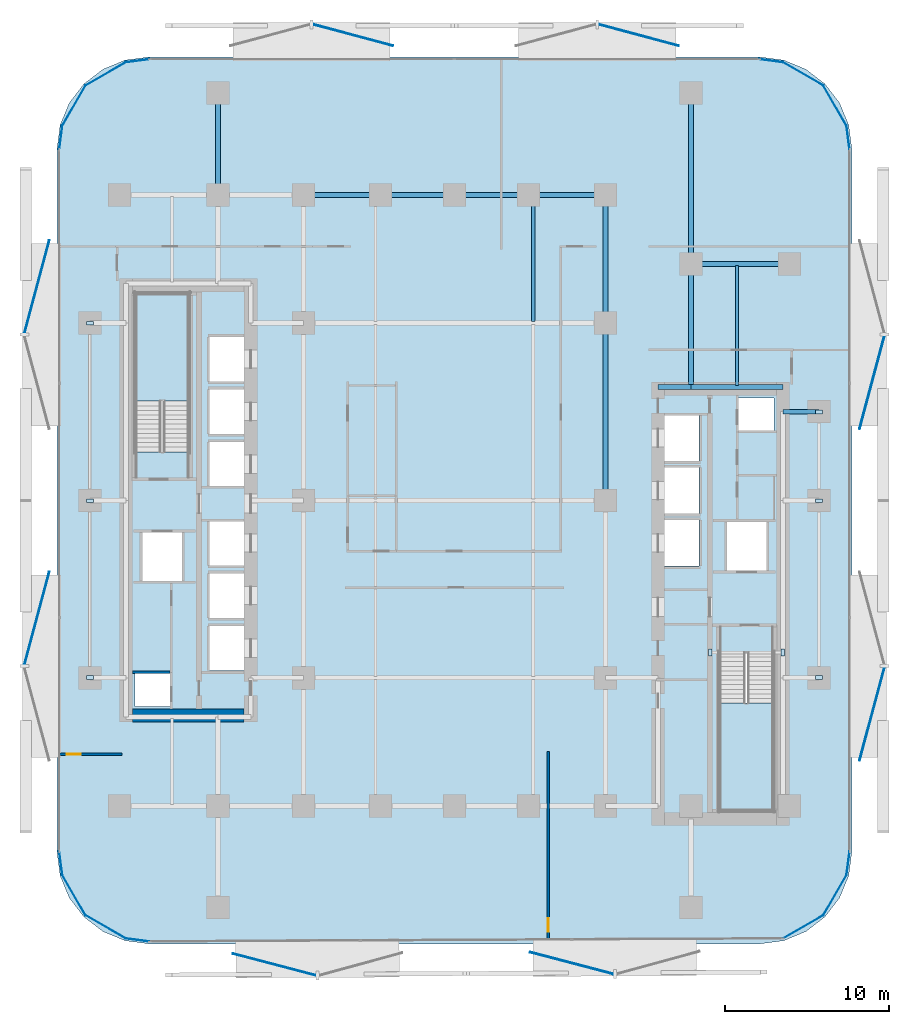
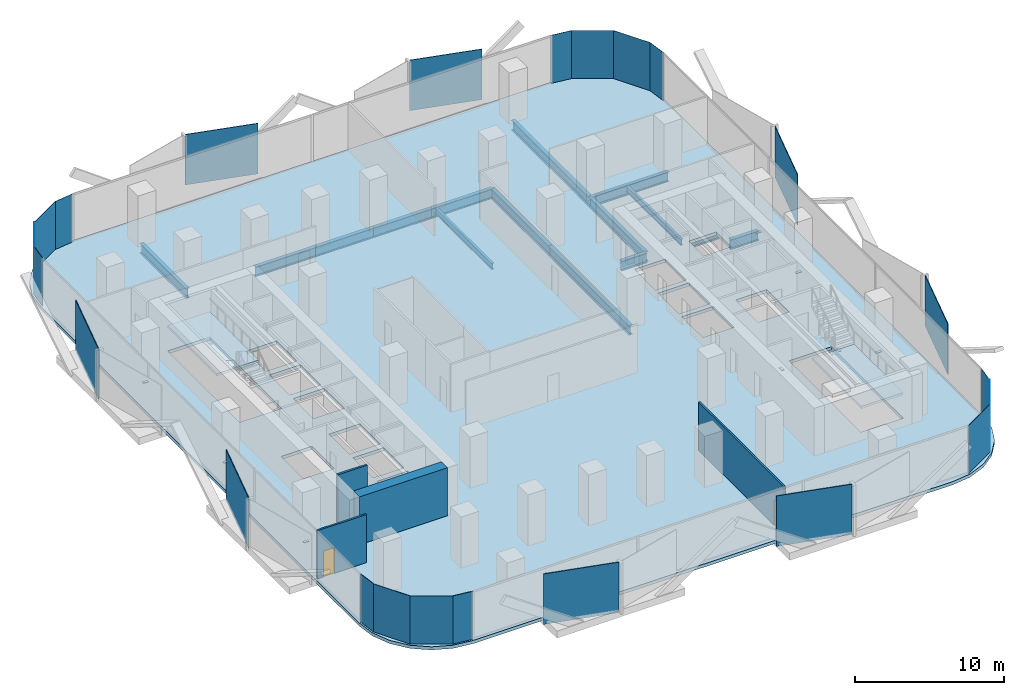
# One storey, part 2 of 15: 31 plates, 15 beams, 4 walls, 3 slabs, 2 doors, 2 openings, 2 elements without a shape of their own.
"""IFC4 building model written with IfcOpenShell, lengths in metres."""

from ifc_helpers import new_model, si_unit, direction, frame, frame_2d, origin, origin_2d, place, context, subcontext, project, spatial, polyline, rectangle, i_section, outline, extrude, material, layer, layer_set, material_profile, profile_set, type_object, element, fill, aggregate, save


model = new_model("IFC4")

# Units and contexts
model_context = context("Model", 3, precision=1e-05, world=origin(), true_north=direction((0.0, 1.0)))
body_context = subcontext(model_context, "Body", "Model", "MODEL_VIEW")
ifc_project = project(units=[si_unit("LENGTHUNIT", "METRE"), si_unit("AREAUNIT", "SQUARE_METRE"), si_unit("VOLUMEUNIT", "CUBIC_METRE"), si_unit("PLANEANGLEUNIT", "RADIAN"), si_unit("MASSUNIT", "GRAM", prefix="KILO")], contexts=[model_context])

# Site, building, storey
site_placement = place(None, origin())
site = spatial("IfcSite", under=ifc_project, at=site_placement, CompositionType="ELEMENT")
building_placement = place(site_placement, origin())
building = spatial("IfcBuilding", under=site, at=building_placement, Name="Khairoan Windgate Tower", CompositionType="ELEMENT")
storey_placement = place(building_placement, frame((0.0, 0.0, 34.39990234375)))
storey = spatial("IfcBuildingStorey", under=building, at=storey_placement, Name="L08", CompositionType="ELEMENT", Elevation=34.39990234375)

# Beams
ifc_material_1 = material(Name="Steel S355", Category="steel")
ifc_material_profile_1 = material_profile(ifc_material_1, i_section(OverallWidth=0.300048828125, OverallDepth=0.800048828125, WebThickness=0.013916015625, FlangeThickness=0.02587890625, FilletRadius=0.028076171875, at=origin_2d()))
ifc_profile_set_1 = profile_set([ifc_material_profile_1], Name="Steel S355")
beam_type_1 = type_object("IfcBeamType", Name="Beam B-G2 H800x300x14x26", PredefinedType="BEAM", material=ifc_profile_set_1)
beam_1_placement = place(storey_placement, frame((20.0, 5.39990234375, -0.659912109375), z_axis=(1.0, 0.0, 0.0), x_axis=(0.0, 1.0, 0.0)))
element("IfcBeam", 1, at=beam_1_placement, inside=storey, type_object=beam_type_1, Name="L08 E-W Primary Girder 19", PredefinedType="BEAM", context=body_context, shape_type="SweptSolid", body=[
    extrude(i_section(OverallWidth=0.300048828125, OverallDepth=0.800048828125, WebThickness=0.013916015625, FlangeThickness=0.02587890625, FilletRadius=0.028076171875, at=origin_2d()), origin(), (0.0, 0.0, 1.0), 2.199951171875),
])
beam_2_placement = place(storey_placement, frame((12.39990234375, 6.89990234375, -0.659912109375), z_axis=(1.0, 0.0, 0.0), x_axis=(0.0, 1.0, 0.0)))
element("IfcBeam", 2, at=beam_2_placement, inside=storey, type_object=beam_type_1, Name="L08 E-W Primary Girder 20", PredefinedType="BEAM", context=body_context, shape_type="SweptSolid", body=[
    extrude(i_section(OverallWidth=0.300048828125, OverallDepth=0.800048828125, WebThickness=0.013916015625, FlangeThickness=0.02587890625, FilletRadius=0.028076171875, at=origin_2d()), origin(), (0.0, 0.0, 1.0), 2.0),
])
beam_3_placement = place(storey_placement, frame((14.39990234375, 6.89990234375, -0.659912109375), z_axis=(1.0, 0.0, 0.0), x_axis=(0.0, 1.0, 0.0)))
element("IfcBeam", 3, at=beam_3_placement, inside=storey, type_object=beam_type_1, Name="L08 E-W Primary Girder 21", PredefinedType="BEAM", context=body_context, shape_type="SweptSolid", body=[
    extrude(i_section(OverallWidth=0.300048828125, OverallDepth=0.800048828125, WebThickness=0.013916015625, FlangeThickness=0.02587890625, FilletRadius=0.028076171875, at=origin_2d()), origin(), (0.0, 0.0, 1.0), 5.60009765625),
])
beam_4_placement = place(storey_placement, frame((14.39990234375, 14.39990234375, -0.659912109375), z_axis=(1.0, 0.0, 0.0), x_axis=(0.0, 1.0, 0.0)))
element("IfcBeam", 4, at=beam_4_placement, inside=storey, type_object=beam_type_1, Name="L08 E-W Primary Girder 27", PredefinedType="BEAM", context=body_context, shape_type="SweptSolid", body=[
    extrude(i_section(OverallWidth=0.300048828125, OverallDepth=0.800048828125, WebThickness=0.013916015625, FlangeThickness=0.02587890625, FilletRadius=0.028076171875, at=origin_2d()), origin(), (0.0, 0.0, 1.0), 6.0),
])
beam_5_placement = place(storey_placement, frame((-9.199951171875, 18.60009765625, -0.659912109375), z_axis=(1.0, 0.0, 0.0), x_axis=(0.0, 1.0, 0.0)))
element("IfcBeam", 5, at=beam_5_placement, inside=storey, type_object=beam_type_1, Name="L08 E-W Primary Girder 30", PredefinedType="BEAM", context=body_context, shape_type="SweptSolid", body=[
    extrude(i_section(OverallWidth=0.300048828125, OverallDepth=0.800048828125, WebThickness=0.013916015625, FlangeThickness=0.02587890625, FilletRadius=0.028076171875, at=origin_2d()), origin(), (0.0, 0.0, 1.0), 4.699951171875),
])
for number, where, z_axis, x_axis, name in (
    (6, (-4.5, 18.60009765625, -0.659912109375), (1.0, 0.0, 0.0), (0.0, 1.0, 0.0), "L08 E-W Primary Girder 31"),
    (7, (0.0, 18.60009765625, -0.659912109375), (1.0, 0.0, 0.0), (0.0, 1.0, 0.0), "L08 E-W Primary Girder 32"),
):
    element("IfcBeam", number, at=place(storey_placement, frame(where, z_axis=z_axis, x_axis=x_axis)), inside=storey, type_object=beam_type_1, Name=name, PredefinedType="BEAM", context=body_context, shape_type="SweptSolid", body=[
        extrude(i_section(OverallWidth=0.300048828125, OverallDepth=0.800048828125, WebThickness=0.013916015625, FlangeThickness=0.02587890625, FilletRadius=0.028076171875, at=origin_2d()), origin(), (0.0, 0.0, 1.0), 4.5),
    ])
beam_6_placement = place(storey_placement, frame((4.5, 18.60009765625, -0.659912109375), z_axis=(1.0, 0.0, 0.0), x_axis=(0.0, 1.0, 0.0)))
element("IfcBeam", 8, at=beam_6_placement, inside=storey, type_object=beam_type_1, Name="L08 E-W Primary Girder 33", PredefinedType="BEAM", context=body_context, shape_type="SweptSolid", body=[
    extrude(i_section(OverallWidth=0.300048828125, OverallDepth=0.800048828125, WebThickness=0.013916015625, FlangeThickness=0.02587890625, FilletRadius=0.028076171875, at=origin_2d()), origin(), (0.0, 0.0, 1.0), 4.699951171875),
])
beam_7_placement = place(storey_placement, frame((-14.39990234375, 18.60009765625, -0.659912109375), z_axis=(0.0, 1.0, 0.0), x_axis=(-1.0, 0.0, 0.0)))
element("IfcBeam", 9, at=beam_7_placement, inside=storey, type_object=beam_type_1, Name="L08 N-S Primary Beam 43", PredefinedType="BEAM", context=body_context, shape_type="SweptSolid", body=[
    extrude(i_section(OverallWidth=0.300048828125, OverallDepth=0.800048828125, WebThickness=0.013916015625, FlangeThickness=0.02587890625, FilletRadius=0.028076171875, at=origin_2d()), origin(), (0.0, 0.0, 1.0), 6.199951171875),
])
beam_8_placement = place(storey_placement, frame((9.199951171875, 0.0, -0.659912109375), z_axis=(0.0, 1.0, 0.0), x_axis=(-1.0, 0.0, 0.0)))
element("IfcBeam", 10, at=beam_8_placement, inside=storey, type_object=beam_type_1, Name="L08 N-S Primary Beam 52", PredefinedType="BEAM", context=body_context, shape_type="SweptSolid", body=[
    extrude(i_section(OverallWidth=0.300048828125, OverallDepth=0.800048828125, WebThickness=0.013916015625, FlangeThickness=0.02587890625, FilletRadius=0.028076171875, at=origin_2d()), origin(), (0.0, 0.0, 1.0), 10.800048828125),
])
beam_9_placement = place(storey_placement, frame((9.199951171875, 10.800048828125, -0.659912109375), z_axis=(0.0, 1.0, 0.0), x_axis=(-1.0, 0.0, 0.0)))
element("IfcBeam", 11, at=beam_9_placement, inside=storey, type_object=beam_type_1, Name="L08 N-S Primary Beam 53", PredefinedType="BEAM", context=body_context, shape_type="SweptSolid", body=[
    extrude(i_section(OverallWidth=0.300048828125, OverallDepth=0.800048828125, WebThickness=0.013916015625, FlangeThickness=0.02587890625, FilletRadius=0.028076171875, at=origin_2d()), origin(), (0.0, 0.0, 1.0), 7.800048828125),
])
beam_10_placement = place(storey_placement, frame((14.39990234375, 6.89990234375, -0.659912109375), z_axis=(0.0, 1.0, 0.0), x_axis=(-1.0, 0.0, 0.0)))
element("IfcBeam", 12, at=beam_10_placement, inside=storey, type_object=beam_type_1, Name="L08 N-S Primary Beam 56", PredefinedType="BEAM", context=body_context, shape_type="SweptSolid", body=[
    extrude(i_section(OverallWidth=0.300048828125, OverallDepth=0.800048828125, WebThickness=0.013916015625, FlangeThickness=0.02587890625, FilletRadius=0.028076171875, at=origin_2d()), origin(), (0.0, 0.0, 1.0), 7.5),
])
beam_11_placement = place(storey_placement, frame((14.39990234375, 14.39990234375, -0.659912109375), z_axis=(0.0, 1.0, 0.0), x_axis=(-1.0, 0.0, 0.0)))
element("IfcBeam", 13, at=beam_11_placement, inside=storey, type_object=beam_type_1, Name="L08 N-S Primary Beam 57", PredefinedType="BEAM", context=body_context, shape_type="SweptSolid", body=[
    extrude(i_section(OverallWidth=0.300048828125, OverallDepth=0.800048828125, WebThickness=0.013916015625, FlangeThickness=0.02587890625, FilletRadius=0.028076171875, at=origin_2d()), origin(), (0.0, 0.0, 1.0), 10.400146484375),
])
ifc_material_2 = material(Name="Steel S355", Category="steel")
ifc_material_profile_2 = material_profile(ifc_material_2, i_section(OverallWidth=0.199951171875, OverallDepth=0.5, WebThickness=0.010009765625, FlangeThickness=0.01611328125, FilletRadius=0.02001953125, at=origin_2d()))
ifc_profile_set_2 = profile_set([ifc_material_profile_2], Name="Steel S355")
beam_type_2 = type_object("IfcBeamType", Name="Beam J-S2 H500x200x10x16", PredefinedType="JOIST", material=ifc_profile_set_2)
beam_12_placement = place(storey_placement, frame((4.800048828125, 10.889892578125, -0.510009765625), z_axis=(0.0, 1.0, 0.0), x_axis=(-1.0, 0.0, 0.0)))
element("IfcBeam", 14, at=beam_12_placement, inside=storey, type_object=beam_type_2, Name="L08 Secondary Floor Joist 10", PredefinedType="JOIST", context=body_context, shape_type="SweptSolid", body=[
    extrude(i_section(OverallWidth=0.199951171875, OverallDepth=0.5, WebThickness=0.010009765625, FlangeThickness=0.01611328125, FilletRadius=0.02001953125, at=origin_2d()), origin(), (0.0, 0.0, 1.0), 7.6201171875),
])
beam_13_placement = place(storey_placement, frame((17.199951171875, 6.989990234375, -0.510009765625), z_axis=(0.0, 1.0, 0.0), x_axis=(-1.0, 0.0, 0.0)))
element("IfcBeam", 15, at=beam_13_placement, inside=storey, type_object=beam_type_2, Name="L08 Secondary Floor Joist 11", PredefinedType="JOIST", context=body_context, shape_type="SweptSolid", body=[
    extrude(i_section(OverallWidth=0.199951171875, OverallDepth=0.5, WebThickness=0.010009765625, FlangeThickness=0.01611328125, FilletRadius=0.02001953125, at=origin_2d()), origin(), (0.0, 0.0, 1.0), 7.320068359375),
])

# Plates
ifc_material_3 = material(Name="Low-E Solar Control Laminated Glass", Category="glass")
ifc_layer_1 = layer(ifc_material_3, 0.030029296875, Name="Low-E Solar Control Laminated Glass")
ifc_layer_set_1 = layer_set([ifc_layer_1], Name="Low-E Solar Control Laminated Glass")
plate_type_1 = type_object("IfcPlateType", Name="Aerodynamic Wind-Corner Curved Glazing Plate", PredefinedType="USERDEFINED", material=ifc_layer_set_1)
plate_placement = place(storey_placement, frame((-19.302001953125, -26.766357421875, 0.000244140625), z_axis=(0.0, 0.0, 1.0), x_axis=(-0.991444861374, 0.13052619222, 0.0)))
element("IfcPlate", 16, at=plate_placement, inside=storey, type_object=plate_type_1, Name="L08 Aerodynamic Wind-Corner Curved Glazing Panel 2", ObjectType="GLAZING PANEL", PredefinedType="USERDEFINED", context=body_context, shape_type="SweptSolid", body=[
    extrude(rectangle(XDim=1.474365234375, YDim=0.028076171875, at=origin_2d()), origin(), (0.0, 0.0, 1.0), 3.93994140625),
])
for number, where, z_axis, x_axis, name in (
    (17, (-21.236328125, -25.96630859375, 0.000244140625), (0.0, 0.0, 1.0), (-0.866025403784, 0.5, 0.0), "L08 Aerodynamic Wind-Corner Curved Glazing Panel 3"),
    (18, (-23.16650390625, -24.03662109375, 0.000244140625), (0.0, 0.0, 1.0), (-0.5, 0.866025403784, 0.0), "L08 Aerodynamic Wind-Corner Curved Glazing Panel 4"),
):
    element("IfcPlate", number, at=place(storey_placement, frame(where, z_axis=z_axis, x_axis=x_axis)), inside=storey, type_object=plate_type_1, Name=name, ObjectType="GLAZING PANEL", PredefinedType="USERDEFINED", context=body_context, shape_type="SweptSolid", body=[
        extrude(rectangle(XDim=2.86572265625, YDim=0.028076171875, at=origin_2d()), origin(), (0.0, 0.0, 1.0), 3.93994140625),
    ])
for number, where, z_axis, x_axis, name in (
    (19, (-23.96630859375, -22.101806640625, 0.000244140625), (0.0, 0.0, 1.0), (-0.13052619222, 0.991444861374, 0.0), "L08 Aerodynamic Wind-Corner Curved Glazing Panel 5"),
    (20, (-23.96630859375, 22.101806640625, 0.000244140625), (0.0, 0.0, 1.0), (0.13052619222, 0.991444861374, 0.0), "L08 Aerodynamic Wind-Corner Curved Glazing Panel 7"),
):
    element("IfcPlate", number, at=place(storey_placement, frame(where, z_axis=z_axis, x_axis=x_axis)), inside=storey, type_object=plate_type_1, Name=name, ObjectType="GLAZING PANEL", PredefinedType="USERDEFINED", context=body_context, shape_type="SweptSolid", body=[
        extrude(rectangle(XDim=1.474365234375, YDim=0.028076171875, at=origin_2d()), origin(), (0.0, 0.0, 1.0), 3.93994140625),
    ])
for number, where, z_axis, x_axis, name in (
    (21, (-23.16650390625, 24.03662109375, 0.000244140625), (0.0, 0.0, 1.0), (0.5, 0.866025403784, 0.0), "L08 Aerodynamic Wind-Corner Curved Glazing Panel 8"),
    (22, (-21.236328125, 25.96630859375, 0.000244140625), (0.0, 0.0, 1.0), (0.866025403784, 0.5, 0.0), "L08 Aerodynamic Wind-Corner Curved Glazing Panel 9"),
):
    element("IfcPlate", number, at=place(storey_placement, frame(where, z_axis=z_axis, x_axis=x_axis)), inside=storey, type_object=plate_type_1, Name=name, ObjectType="GLAZING PANEL", PredefinedType="USERDEFINED", context=body_context, shape_type="SweptSolid", body=[
        extrude(rectangle(XDim=2.86572265625, YDim=0.028076171875, at=origin_2d()), origin(), (0.0, 0.0, 1.0), 3.93994140625),
    ])
for number, where, z_axis, x_axis, name in (
    (23, (-19.302001953125, 26.766357421875, 0.000244140625), (0.0, 0.0, 1.0), (0.991444861374, 0.13052619222, 0.0), "L08 Aerodynamic Wind-Corner Curved Glazing Panel 10"),
    (24, (19.302001953125, 26.766357421875, 0.000244140625), (0.0, 0.0, 1.0), (0.991444861374, -0.13052619222, 0.0), "L08 Aerodynamic Wind-Corner Curved Glazing Panel 12"),
):
    element("IfcPlate", number, at=place(storey_placement, frame(where, z_axis=z_axis, x_axis=x_axis)), inside=storey, type_object=plate_type_1, Name=name, ObjectType="GLAZING PANEL", PredefinedType="USERDEFINED", context=body_context, shape_type="SweptSolid", body=[
        extrude(rectangle(XDim=1.474365234375, YDim=0.028076171875, at=origin_2d()), origin(), (0.0, 0.0, 1.0), 3.93994140625),
    ])
for number, where, z_axis, x_axis, name in (
    (25, (21.236328125, 25.96630859375, 0.000244140625), (0.0, 0.0, 1.0), (0.866025403784, -0.5, 0.0), "L08 Aerodynamic Wind-Corner Curved Glazing Panel 13"),
    (26, (23.16650390625, 24.03662109375, 0.000244140625), (0.0, 0.0, 1.0), (0.5, -0.866025403784, 0.0), "L08 Aerodynamic Wind-Corner Curved Glazing Panel 14"),
):
    element("IfcPlate", number, at=place(storey_placement, frame(where, z_axis=z_axis, x_axis=x_axis)), inside=storey, type_object=plate_type_1, Name=name, ObjectType="GLAZING PANEL", PredefinedType="USERDEFINED", context=body_context, shape_type="SweptSolid", body=[
        extrude(rectangle(XDim=2.86572265625, YDim=0.028076171875, at=origin_2d()), origin(), (0.0, 0.0, 1.0), 3.93994140625),
    ])
for number, where, z_axis, x_axis, name in (
    (27, (23.96630859375, 22.101806640625, 0.000244140625), (0.0, 0.0, 1.0), (0.13052619222, -0.991444861374, 0.0), "L08 Aerodynamic Wind-Corner Curved Glazing Panel 15"),
    (28, (23.96630859375, -22.101806640625, 0.000244140625), (0.0, 0.0, 1.0), (-0.13052619222, -0.991444861374, 0.0), "L08 Aerodynamic Wind-Corner Curved Glazing Panel 17"),
):
    element("IfcPlate", number, at=place(storey_placement, frame(where, z_axis=z_axis, x_axis=x_axis)), inside=storey, type_object=plate_type_1, Name=name, ObjectType="GLAZING PANEL", PredefinedType="USERDEFINED", context=body_context, shape_type="SweptSolid", body=[
        extrude(rectangle(XDim=1.474365234375, YDim=0.028076171875, at=origin_2d()), origin(), (0.0, 0.0, 1.0), 3.93994140625),
    ])
for number, where, z_axis, x_axis, name in (
    (29, (23.16650390625, -24.03662109375, 0.000244140625), (0.0, 0.0, 1.0), (-0.5, -0.866025403784, 0.0), "L08 Aerodynamic Wind-Corner Curved Glazing Panel 18"),
    (30, (21.236328125, -25.96630859375, 0.000244140625), (0.0, 0.0, 1.0), (-0.866025403784, -0.5, 0.0), "L08 Aerodynamic Wind-Corner Curved Glazing Panel 19"),
):
    element("IfcPlate", number, at=place(storey_placement, frame(where, z_axis=z_axis, x_axis=x_axis)), inside=storey, type_object=plate_type_1, Name=name, ObjectType="GLAZING PANEL", PredefinedType="USERDEFINED", context=body_context, shape_type="SweptSolid", body=[
        extrude(rectangle(XDim=2.86572265625, YDim=0.028076171875, at=origin_2d()), origin(), (0.0, 0.0, 1.0), 3.93994140625),
    ])
ifc_material_4 = material(Name="Steel S355", Category="steel")
ifc_layer_2 = layer(ifc_material_4, 0.0400390625, Name="Steel S355")
ifc_layer_set_2 = layer_set([ifc_layer_2], Name="Steel S355")
plate_type_2 = type_object("IfcPlateType", Name="Hollow Section End-Cap Plate PL-CAP40", PredefinedType="SHEET", material=ifc_layer_set_2)
for number, where, z_axis, x_axis, name in (
    (31, (-22.199951171875, -10.784912109375, -0.47998046875), (0.0, 0.0, 1.0), (0.0, 1.0, 0.0), "BM-SP-L08-034 steel end-cap plate 1"),
    (32, (-22.199951171875, -0.014892578125, -0.47998046875), (0.0, 0.0, 1.0), (0.0, 1.0, 0.0), "BM-SP-L08-034 steel end-cap plate 2"),
    (33, (-22.199951171875, 10.784912109375, -0.47998046875), (0.0, 0.0, 1.0), (0.0, 1.0, 0.0), "BM-SP-L08-035 steel end-cap plate 2"),
    (34, (22.199951171875, -10.784912109375, -0.47998046875), (0.0, 0.0, 1.0), (0.0, 1.0, 0.0), "BM-SP-L08-061 steel end-cap plate 1"),
    (35, (22.199951171875, -0.014892578125, -0.47998046875), (0.0, 0.0, 1.0), (0.0, 1.0, 0.0), "BM-SP-L08-061 steel end-cap plate 2"),
    (36, (22.199951171875, 5.385009765625, -0.47998046875), (0.0, 0.0, 1.0), (0.0, 1.0, 0.0), "BM-SP-L08-062 steel end-cap plate 2"),
    (37, (15.56494140625, -9.260009765625, -0.47998046875), (0.0, 0.0, 1.0), (1.0, 0.0, 0.0), "BM-ST1-TRIM-L08 steel end-cap plate 1"),
    (38, (19.985107421875, -9.260009765625, -0.47998046875), (0.0, 0.0, 1.0), (1.0, 0.0, 0.0), "BM-ST1-TRIM-L08 steel end-cap plate 2"),
):
    element("IfcPlate", number, at=place(storey_placement, frame(where, z_axis=z_axis, x_axis=x_axis)), inside=storey, type_object=plate_type_2, Name=name, PredefinedType="SHEET", context=body_context, shape_type="SweptSolid", body=[
        extrude(rectangle(XDim=0.219970703125, YDim=0.419921875, at=origin_2d()), origin(), (0.0, 0.0, 1.0), 0.0400390625),
    ])
ifc_material_5 = material(Name="Anodised Bronze Aluminium 6063-T6", Category="aluminium")
ifc_layer_3 = layer(ifc_material_5, 0.054931640625, Name="Anodised Bronze Aluminium 6063-T6")
ifc_layer_set_3 = layer_set([ifc_layer_3], Name="Anodised Bronze Aluminium 6063-T6")
plate_type_3 = type_object("IfcPlateType", Name="Perforated Bronze Solar Screen Panel BSP-1", PredefinedType="USERDEFINED", material=ifc_layer_set_3)
for number, where, z_axis, x_axis, name in (
    (39, (7.143310546875, -28.17578125, -0.099609375), (0.0, 0.0, 1.0), (-0.967179115616, 0.254095569259, 0.0), "L08 Perforated Bronze Solar Screen Panel 17R"),
    (40, (-10.95849609375, -28.263671875, -0.099609375), (0.0, 0.0, 1.0), (-0.967179115616, 0.254095569259, 0.0), "L08 Perforated Bronze Solar Screen Panel 18R"),
):
    element("IfcPlate", number, at=place(storey_placement, frame(where, z_axis=z_axis, x_axis=x_axis)), inside=storey, type_object=plate_type_3, Name=name, ObjectType="SCREEN", PredefinedType="USERDEFINED", context=body_context, shape_type="SweptSolid", body=[
        extrude(rectangle(XDim=5.25, YDim=0.054931640625, at=origin_2d()), origin(), (0.0, 0.0, 1.0), 4.139892578125),
    ])
for number, where, z_axis, x_axis, name in (
    (41, (-25.42236328125, -7.177734375, -0.099609375), (0.0, 0.0, 1.0), (0.258819045103, 0.965925826289, 0.0), "L08 Perforated Bronze Solar Screen Panel 19R"),
    (42, (-25.42236328125, 13.01318359375, -0.099609375), (0.0, 0.0, 1.0), (0.258819045103, 0.965925826289, 0.0), "L08 Perforated Bronze Solar Screen Panel 20R"),
):
    element("IfcPlate", number, at=place(storey_placement, frame(where, z_axis=z_axis, x_axis=x_axis)), inside=storey, type_object=plate_type_3, Name=name, ObjectType="SCREEN", PredefinedType="USERDEFINED", context=body_context, shape_type="SweptSolid", body=[
        extrude(rectangle(XDim=5.85498046875, YDim=0.054931640625, at=origin_2d()), origin(), (0.0, 0.0, 1.0), 4.139892578125),
    ])
for number, where, z_axis, x_axis, name in (
    (43, (-6.169921875, 28.327392578125, -0.099609375), (0.0, 0.0, 1.0), (0.965925826289, -0.258819045103, 0.0), "L08 Perforated Bronze Solar Screen Panel 21R"),
    (44, (11.220947265625, 28.327392578125, -0.099609375), (0.0, 0.0, 1.0), (0.965925826289, -0.258819045103, 0.0), "L08 Perforated Bronze Solar Screen Panel 22R"),
):
    element("IfcPlate", number, at=place(storey_placement, frame(where, z_axis=z_axis, x_axis=x_axis)), inside=storey, type_object=plate_type_3, Name=name, ObjectType="SCREEN", PredefinedType="USERDEFINED", context=body_context, shape_type="SweptSolid", body=[
        extrude(rectangle(XDim=5.04296875, YDim=0.054931640625, at=origin_2d()), origin(), (0.0, 0.0, 1.0), 4.139892578125),
    ])
for number, where, z_axis, x_axis, name in (
    (45, (25.42236328125, 7.177734375, -0.099609375), (0.0, 0.0, 1.0), (-0.258819045103, -0.965925826289, 0.0), "L08 Perforated Bronze Solar Screen Panel 23R"),
    (46, (25.42236328125, -13.01318359375, -0.099609375), (0.0, 0.0, 1.0), (-0.258819045103, -0.965925826289, 0.0), "L08 Perforated Bronze Solar Screen Panel 24R"),
):
    element("IfcPlate", number, at=place(storey_placement, frame(where, z_axis=z_axis, x_axis=x_axis)), inside=storey, type_object=plate_type_3, Name=name, ObjectType="SCREEN", PredefinedType="USERDEFINED", context=body_context, shape_type="SweptSolid", body=[
        extrude(rectangle(XDim=5.85498046875, YDim=0.054931640625, at=origin_2d()), origin(), (0.0, 0.0, 1.0), 4.139892578125),
    ])

# Stair, slab
ifc_material_6 = material(Name="Concrete C40/50", Category="concrete")
stair_type = type_object("IfcStairType", Name="Tower Core Dog-Leg Stair ST-T1 1560mm", PredefinedType="HALF_TURN_STAIR", material=ifc_material_6)
stair_1_placement = place(storey_placement, origin())
stair_1 = element("IfcStair", 47, at=stair_1_placement, inside=storey, type_object=stair_type, Name="L08 Stair ST1", PredefinedType="HALF_TURN_STAIR")
ifc_material_7 = material(Name="Concrete C40/50", Category="concrete")
ifc_layer_4 = layer(ifc_material_7, 0.199951171875, Name="Concrete C40/50")
ifc_layer_set_4 = layer_set([ifc_layer_4], Name="Concrete C40/50")
slab_type_1 = type_object("IfcSlabType", Name="Reinforced Concrete Stair Landing Slab STL-200", PredefinedType="LANDING", material=ifc_layer_set_4)
slab_1_placement = place(storey_placement, frame((0.0, 0.0, 1.900146484375)))
slab_1 = element("IfcSlab", 48, at=slab_1_placement, type_object=slab_type_1, Name="ST1 landing 1", PredefinedType="LANDING", context=body_context, shape_type="SweptSolid", body=[
    extrude(outline(polyline([(16.14990234375, -12.340087890625), (16.14990234375, -18.89990234375), (19.419921875, -18.89990234375), (19.419921875, -12.340087890625), (16.14990234375, -12.340087890625)])), origin(), (0.0, 0.0, 1.0), 0.199951171875),
])
aggregate(stair_1, [slab_1])

stair_2_placement = place(storey_placement, origin())
stair_2 = element("IfcStair", 49, at=stair_2_placement, inside=storey, type_object=stair_type, Name="L08 Stair ST2", PredefinedType="HALF_TURN_STAIR")
slab_2_placement = place(storey_placement, frame((0.0, 0.0, 1.900146484375)))
slab_2 = element("IfcSlab", 50, at=slab_2_placement, type_object=slab_type_1, Name="ST2 landing 1", PredefinedType="LANDING", context=body_context, shape_type="SweptSolid", body=[
    extrude(outline(polyline([(-16.14990234375, 6.0400390625), (-16.14990234375, 12.60009765625), (-19.419921875, 12.60009765625), (-19.419921875, 6.0400390625), (-16.14990234375, 6.0400390625)])), origin(), (0.0, 0.0, 1.0), 0.199951171875),
])
aggregate(stair_2, [slab_2])

# Slab
ifc_material_8 = material(Name="Concrete C40/50", Category="concrete")
ifc_layer_5 = layer(ifc_material_8, 0.260009765625, Name="Concrete C40/50")
ifc_layer_set_5 = layer_set([ifc_layer_5], Name="Concrete C40/50")
slab_type_2 = type_object("IfcSlabType", Name="Tower Composite Floor Slab FS2 260mm", PredefinedType="FLOOR", material=ifc_layer_set_5)
slab_3_placement = place(storey_placement, frame((0.0, 0.0, -0.260009765625)))
element("IfcSlab", 51, at=slab_3_placement, inside=storey, type_object=slab_type_2, Name="L08 Structural Floor Slab", PredefinedType="FLOOR", context=body_context, shape_type="SweptSolid", body=[
    extrude(outline(polyline([(18.60009765625, -27.0), (20.04931640625, -26.80908203125), (21.39990234375, -26.249755859375), (22.559814453125, -25.35986328125), (23.44970703125, -24.199951171875), (24.00927734375, -22.849365234375), (24.199951171875, -21.39990234375), (24.199951171875, 21.39990234375), (24.00927734375, 22.849365234375), (23.44970703125, 24.199951171875), (22.559814453125, 25.35986328125), (21.39990234375, 26.249755859375), (20.04931640625, 26.80908203125), (18.60009765625, 27.0), (-18.60009765625, 27.0), (-20.04931640625, 26.80908203125), (-21.39990234375, 26.249755859375), (-22.559814453125, 25.35986328125), (-23.44970703125, 24.199951171875), (-24.00927734375, 22.849365234375), (-24.199951171875, 21.39990234375), (-24.199951171875, -21.39990234375), (-24.00927734375, -22.849365234375), (-23.44970703125, -24.199951171875), (-22.559814453125, -25.35986328125), (-21.39990234375, -26.249755859375), (-20.04931640625, -26.80908203125), (-18.60009765625, -27.0), (18.60009765625, -27.0)]), holes=[polyline([(16.14990234375, -9.260009765625), (16.14990234375, -18.89990234375), (19.419921875, -18.89990234375), (19.419921875, -9.260009765625), (16.14990234375, -9.260009765625)]), polyline([(-16.14990234375, 2.9599609375), (-16.14990234375, 12.60009765625), (-19.419921875, 12.60009765625), (-19.419921875, 2.9599609375), (-16.14990234375, 2.9599609375)]), polyline([(-14.89990234375, 7.25), (-12.5, 7.25), (-12.5, 9.949951171875), (-14.89990234375, 9.949951171875), (-14.89990234375, 7.25)]), polyline([(-14.89990234375, 4.050048828125), (-12.5, 4.050048828125), (-12.5, 6.75), (-14.89990234375, 6.75), (-14.89990234375, 4.050048828125)]), polyline([(-14.89990234375, 0.85009765625), (-12.5, 0.85009765625), (-12.5, 3.550048828125), (-14.89990234375, 3.550048828125), (-14.89990234375, 0.85009765625)]), polyline([(-14.89990234375, -3.949951171875), (-12.5, -3.949951171875), (-12.5, -1.25), (-14.89990234375, -1.25), (-14.89990234375, -3.949951171875)]), polyline([(-14.89990234375, -7.14990234375), (-12.5, -7.14990234375), (-12.5, -4.449951171875), (-14.89990234375, -4.449951171875), (-14.89990234375, -7.14990234375)]), polyline([(-14.89990234375, -10.35009765625), (-12.5, -10.35009765625), (-12.5, -7.64990234375), (-14.89990234375, -7.64990234375), (-14.89990234375, -10.35009765625)]), polyline([(12.5, 2.39990234375), (14.89990234375, 2.39990234375), (14.89990234375, 5.199951171875), (12.5, 5.199951171875), (12.5, 2.39990234375)]), polyline([(12.5, -0.800048828125), (14.89990234375, -0.800048828125), (14.89990234375, 2.0), (12.5, 2.0), (12.5, -0.800048828125)]), polyline([(12.5, -4.0), (14.89990234375, -4.0), (14.89990234375, -1.199951171875), (12.5, -1.199951171875), (12.5, -4.0)]), polyline([(16.60009765625, -4.300048828125), (19.0, -4.300048828125), (19.0, -1.300048828125), (16.60009765625, -1.300048828125), (16.60009765625, -4.300048828125)]), polyline([(-19.0, -4.89990234375), (-16.60009765625, -4.89990234375), (-16.60009765625, -1.89990234375), (-19.0, -1.89990234375), (-19.0, -4.89990234375)]), polyline([(-19.449951171875, -12.550048828125), (-17.31005859375, -12.550048828125), (-17.31005859375, -10.550048828125), (-19.449951171875, -10.550048828125), (-19.449951171875, -12.550048828125)]), polyline([(17.31005859375, 4.25), (19.449951171875, 4.25), (19.449951171875, 6.25), (17.31005859375, 6.25), (17.31005859375, 4.25)])]), origin(), (0.0, 0.0, 1.0), 0.260009765625),
])

# Wall, opening, door
ifc_material_9 = material(Name="Acoustic Fire-Rated Gypsum Partition", Category="gypsum")
ifc_layer_6 = layer(ifc_material_9, 0.139892578125, Name="Acoustic Fire-Rated Gypsum Partition")
ifc_layer_set_6 = layer_set([ifc_layer_6], Name="Acoustic Fire-Rated Gypsum Partition")
wall_type_1 = type_object("IfcWallType", Name="Inter-Tenancy Compartment Wall", PredefinedType="PARTITIONING", material=ifc_layer_set_6)
wall_1_placement = place(storey_placement, frame((-24.054931640625, -15.4599609375, 0.0), z_axis=(0.0, 0.0, 1.0), x_axis=(1.0, 0.0, 0.0)))
wall_1 = element("IfcWall", 52, at=wall_1_placement, inside=storey, type_object=wall_type_1, Name="L08 Interior Partition 024", PredefinedType="PARTITIONING", context=body_context, shape_type="SweptSolid", body=[
    extrude(rectangle(XDim=3.81494140625, YDim=0.139892578125, at=frame_2d((1.907470703125, 0.0))), origin(), (0.0, 0.0, 1.0), 3.940185546875),
])
opening_1_placement = place(wall_1_placement, frame((0.4599609375, 0.0, 0.0)))
opening_1 = element("IfcOpeningElement", 53, at=opening_1_placement, cuts=wall_1, Name="Opening FD-SRV", PredefinedType="OPENING", context=body_context, shape_type="SweptSolid", body=[
    extrude(rectangle(XDim=0.85009765625, YDim=2.10009765625, at=frame_2d((0.425048828125, 1.050048828125))), frame((0.0, 0.079833984375, 0.0), z_axis=(0.0, -1.0, 0.0), x_axis=(1.0, 0.0, 0.0)), (0.0, 0.0, 1.0), 0.159912109375),
])
ifc_material_10 = material(Name="Steel S355", Category="steel")
door_type = type_object("IfcDoorType", Name="Core Service and Riser Fire Door FD-SRV 850x2100", OperationType="NOTDEFINED", PredefinedType="DOOR", material=ifc_material_10)
door_1_placement = place(opening_1_placement, origin())
door_1 = element("IfcDoor", 54, at=door_1_placement, inside=storey, type_object=door_type, Name="L08 L08-36-L08-41 Door", OperationType="SINGLE_SWING_LEFT", OverallHeight=2.10009765625, OverallWidth=0.85009765625, PredefinedType="DOOR", context=body_context, shape_type="SweptSolid", body=[
    extrude(rectangle(XDim=0.85009765625, YDim=2.10009765625, at=frame_2d((0.425048828125, 1.050048828125))), frame((0.0, 0.02490234375, 0.0), z_axis=(0.0, -1.0, 0.0), x_axis=(1.0, 0.0, 0.0)), (0.0, 0.0, 1.0), 0.050048828125),
])
fill(opening_1, door_1)

wall_2_placement = place(storey_placement, frame((5.7119140625, -26.7373046875, 0.0), z_axis=(0.0, 0.0, 1.0), x_axis=(0.0, 1.0, 0.0)))
wall_2 = element("IfcWall", 55, at=wall_2_placement, inside=storey, type_object=wall_type_1, Name="L08 Interior Partition 028", PredefinedType="PARTITIONING", context=body_context, shape_type="SweptSolid", body=[
    extrude(rectangle(XDim=11.457275390625, YDim=0.139892578125, at=frame_2d((5.728515625, 0.0))), origin(), (0.0, 0.0, 1.0), 3.940185546875),
])
opening_2_placement = place(wall_2_placement, frame((0.4599609375, 0.0, 0.0)))
opening_2 = element("IfcOpeningElement", 56, at=opening_2_placement, cuts=wall_2, Name="Opening FD-SRV", PredefinedType="OPENING", context=body_context, shape_type="SweptSolid", body=[
    extrude(rectangle(XDim=0.85009765625, YDim=2.10009765625, at=frame_2d((0.425048828125, 1.050048828125))), frame((0.0, 0.079833984375, 0.0), z_axis=(0.0, -1.0, 0.0), x_axis=(1.0, 0.0, 0.0)), (0.0, 0.0, 1.0), 0.159912109375),
])
door_2_placement = place(opening_2_placement, origin())
door_2 = element("IfcDoor", 57, at=door_2_placement, inside=storey, type_object=door_type, Name="L08 L08-41-L08-42 Door", OperationType="SINGLE_SWING_RIGHT", OverallHeight=2.10009765625, OverallWidth=0.85009765625, PredefinedType="DOOR", context=body_context, shape_type="SweptSolid", body=[
    extrude(rectangle(XDim=0.85009765625, YDim=2.10009765625, at=frame_2d((0.425048828125, 1.050048828125))), frame((0.0, 0.02490234375, 0.0), z_axis=(0.0, -1.0, 0.0), x_axis=(1.0, 0.0, 0.0)), (0.0, 0.0, 1.0), 0.050048828125),
])
fill(opening_2, door_2)

# Walls
ifc_material_11 = material(Name="Concrete C40/50", Category="concrete")
ifc_layer_7 = layer(ifc_material_11, 0.159912109375, Name="Concrete C40/50")
ifc_layer_set_7 = layer_set([ifc_layer_7], Name="Concrete C40/50")
wall_type_2 = type_object("IfcWallType", Name="Plant and Refuge Compartment Wall", PredefinedType="PARTITIONING", material=ifc_layer_set_7)
wall_3_placement = place(storey_placement, frame((-19.60009765625, -10.469970703125, 0.0), z_axis=(0.0, 0.0, 1.0), x_axis=(1.0, 0.0, 0.0)))
element("IfcWall", 58, at=wall_3_placement, inside=storey, type_object=wall_type_2, Name="L08 Interior Partition 003", PredefinedType="PARTITIONING", context=body_context, shape_type="SweptSolid", body=[
    extrude(rectangle(XDim=2.2900390625, YDim=0.159912109375, at=frame_2d((1.14501953125, 0.0))), origin(), (0.0, 0.0, 1.0), 3.940185546875),
])
ifc_material_12 = material(Name="Concrete C70/85", Category="concrete")
ifc_layer_8 = layer(ifc_material_12, 0.800048828125, Name="Concrete C70/85")
ifc_layer_set_8 = layer_set([ifc_layer_8], Name="Concrete C70/85")
wall_type_3 = type_object("IfcWallType", Name="Shear Wall CW-W1 800mm", PredefinedType="SHEAR", material=ifc_layer_set_8)
wall_4_placement = place(storey_placement, frame((-19.60009765625, -13.10009765625, 0.0), z_axis=(0.0, 0.0, 1.0), x_axis=(1.0, 0.0, 0.0)))
element("IfcWall", 59, at=wall_4_placement, inside=storey, type_object=wall_type_3, Name="W Core South Shear Wall L08", PredefinedType="SHEAR", context=body_context, shape_type="SweptSolid", body=[
    extrude(rectangle(XDim=6.800048828125, YDim=0.800048828125, at=frame_2d((3.39990234375, 0.0))), origin(), (0.0, 0.0, 1.0), 3.940185546875),
])

save(model, "model.ifc")
